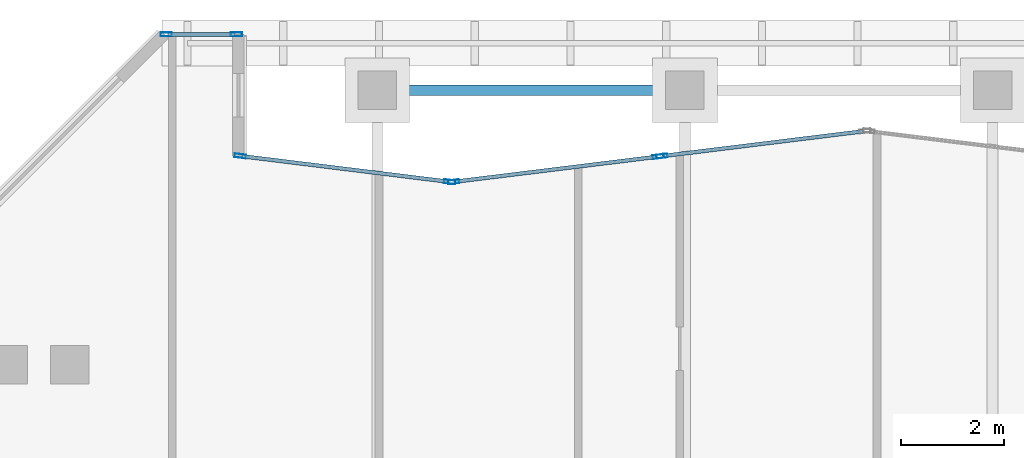
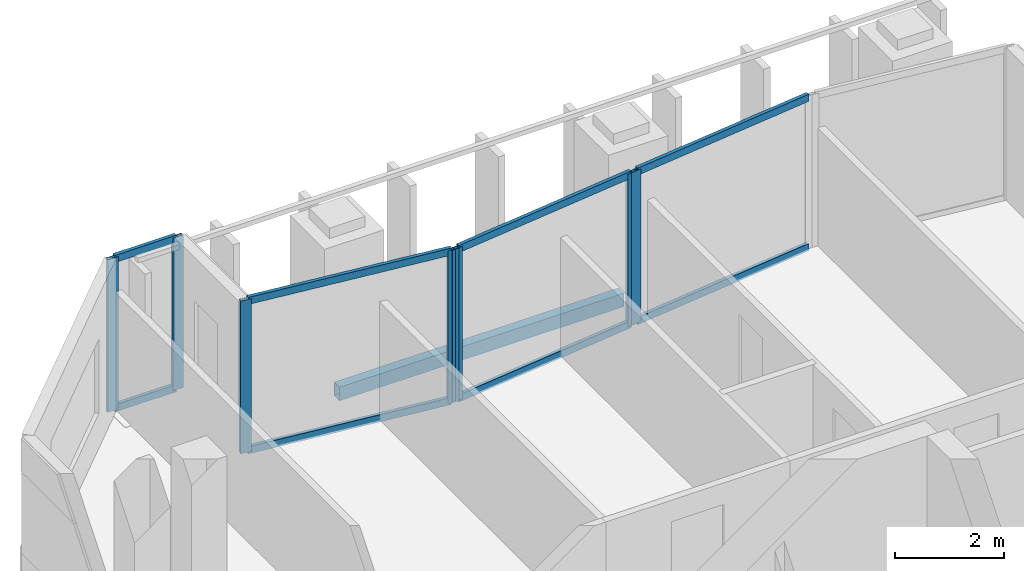
# One storey, part 11 of 32: 15 members, 1 beam, 4 elements without a shape of their own.
"""IFC4 building model written with IfcOpenShell, lengths in metres."""

from ifc_helpers import new_model, si_unit, direction, frame, origin, origin_2d, place, context, subcontext, project, spatial, hollow_rectangle, extrude, material, layer, layer_set, material_profile, profile_set, type_object, element, aggregate, save


model = new_model("IFC4")

# Units and contexts
model_context = context("Model", 3, precision=1e-05, world=origin(), true_north=direction((0.0, 1.0)))
body_context = subcontext(model_context, "Body", "Model", "MODEL_VIEW")
ifc_project = project(units=[si_unit("LENGTHUNIT", "METRE"), si_unit("AREAUNIT", "SQUARE_METRE"), si_unit("VOLUMEUNIT", "CUBIC_METRE"), si_unit("PLANEANGLEUNIT", "RADIAN"), si_unit("MASSUNIT", "GRAM", prefix="KILO")], contexts=[model_context])

# Site, building, storey
site_placement = place(None, origin())
site = spatial("IfcSite", under=ifc_project, at=site_placement, CompositionType="ELEMENT")
building_placement = place(site_placement, origin())
building = spatial("IfcBuilding", under=site, at=building_placement, Name="Tanjung Sevakor Pilgrim Tower", CompositionType="ELEMENT")
storey_placement = place(building_placement, frame((0.0, 0.0, 211.860107421875)))
storey = spatial("IfcBuildingStorey", under=building, at=storey_placement, Name="L59", CompositionType="ELEMENT", Elevation=211.860107421875)

# Beam
ifc_material_1 = material(Name="Steel S355J2", Category="steel")
ifc_material_profile_1 = material_profile(ifc_material_1, hollow_rectangle(XDim=0.199951171875, YDim=0.300048828125, WallThickness=0.012451171875, at=origin_2d()))
ifc_profile_set_1 = profile_set([ifc_material_profile_1], Name="Steel S355J2")
beam_type = type_object("IfcBeamType", Name="BM-B-SP3-RHS_300x200x12.5", PredefinedType="SPANDREL", material=ifc_profile_set_1)
beam_placement = place(storey_placement, frame((30.0, 53.949951171875, -0.3701171875), z_axis=(1.0, 0.0, 0.0), x_axis=(0.0, 1.0, 0.0)))
element("IfcBeam", 1, at=beam_placement, inside=storey, type_object=beam_type, Name="L59 Spandrel MAIN N-02", PredefinedType="SPANDREL", context=body_context, shape_type="SweptSolid", body=[
    extrude(hollow_rectangle(XDim=0.199951171875, YDim=0.300048828125, WallThickness=0.012451171875, at=origin_2d()), origin(), (0.0, 0.0, 1.0), 6.0),
])

# Curtain wall, member
ifc_material_2 = material(Name="Aluminium 6063-T6 and Low-E Glass", Category="aluminium")
ifc_layer = layer(ifc_material_2, 0.199951171875)
ifc_layer_set = layer_set([ifc_layer], Name="CW-SYS-PRAY")
curtain_wall_type = type_object("IfcCurtainWallType", Name="CW-SYS-PRAY", PredefinedType="NOTDEFINED", material=ifc_layer_set)
curtain_wall_1_placement = place(storey_placement, origin())
curtain_wall_1 = element("IfcCurtainWall", 2, at=curtain_wall_1_placement, inside=storey, type_object=curtain_wall_type, Name="L59 Curtain Wall CW-PRY-L59-28", PredefinedType="NOTDEFINED")
ifc_material_3 = material(Name="Aluminium 6063-T6", Category="aluminium")
ifc_material_profile_2 = material_profile(ifc_material_3, hollow_rectangle(XDim=0.074951171875, YDim=0.219970703125, WallThickness=0.0048828125, at=origin_2d()))
ifc_profile_set_2 = profile_set([ifc_material_profile_2], Name="Aluminium 6063-T6")
member_type_1 = type_object("IfcMemberType", Name="TYPE-CWM-2", PredefinedType="MULLION", material=ifc_profile_set_2)
member_1_placement = place(storey_placement, frame((35.55078125, 52.665283203125, 0.0), z_axis=(0.0, 0.0, 1.0), x_axis=(0.122542717395, -0.99246323983, 0.0)))
member_1 = element("IfcMember", 3, at=member_1_placement, type_object=member_type_1, Name="CW-PRY mullion 2", PredefinedType="MULLION", context=body_context, shape_type="SweptSolid", body=[
    extrude(hollow_rectangle(XDim=0.074951171875, YDim=0.219970703125, WallThickness=0.0048828125, at=origin_2d()), origin(), (0.0, 0.0, 1.0), 3.409912109375),
])

# Curtain wall, members
curtain_wall_2_placement = place(storey_placement, origin())
curtain_wall_2 = element("IfcCurtainWall", 4, at=curtain_wall_2_placement, inside=storey, type_object=curtain_wall_type, Name="L59 Curtain Wall CW-PRY-L59-29", PredefinedType="NOTDEFINED")
member_2_placement = place(storey_placement, frame((35.476318359375, 52.65625, 0.0), z_axis=(0.0, 0.0, 1.0), x_axis=(0.122510533794, -0.992467213116, 0.0)))
member_2 = element("IfcMember", 5, at=member_2_placement, type_object=member_type_1, Name="CW-PRY mullion 1", PredefinedType="MULLION", context=body_context, shape_type="SweptSolid", body=[
    extrude(hollow_rectangle(XDim=0.074951171875, YDim=0.219970703125, WallThickness=0.0048828125, at=origin_2d()), origin(), (0.0, 0.0, 1.0), 3.409912109375),
])
member_3_placement = place(storey_placement, frame((31.4873046875, 52.163818359375, 0.0), z_axis=(0.0, 0.0, 1.0), x_axis=(0.122510533794, -0.992467213116, 0.0)))
member_3 = element("IfcMember", 6, at=member_3_placement, type_object=member_type_1, Name="CW-PRY mullion 2", PredefinedType="MULLION", context=body_context, shape_type="SweptSolid", body=[
    extrude(hollow_rectangle(XDim=0.074951171875, YDim=0.219970703125, WallThickness=0.0048828125, at=origin_2d()), origin(), (0.0, 0.0, 1.0), 3.409912109375),
])

curtain_wall_3_placement = place(storey_placement, origin())
curtain_wall_3 = element("IfcCurtainWall", 7, at=curtain_wall_3_placement, inside=storey, type_object=curtain_wall_type, Name="L59 Curtain Wall CW-PRY-L59-30", PredefinedType="NOTDEFINED")
member_4_placement = place(storey_placement, frame((31.412841796875, 52.163818359375, 0.0), z_axis=(0.0, 0.0, 1.0), x_axis=(-0.12250771458, -0.992467561116, 0.0)))
member_4 = element("IfcMember", 8, at=member_4_placement, type_object=member_type_1, Name="CW-PRY mullion 1", PredefinedType="MULLION", context=body_context, shape_type="SweptSolid", body=[
    extrude(hollow_rectangle(XDim=0.074951171875, YDim=0.219970703125, WallThickness=0.0048828125, at=origin_2d()), origin(), (0.0, 0.0, 1.0), 3.409912109375),
])
member_5_placement = place(storey_placement, frame((27.3271484375, 52.668212890625, 0.0), z_axis=(0.0, 0.0, 1.0), x_axis=(-0.12250771458, -0.992467561116, 0.0)))
member_5 = element("IfcMember", 9, at=member_5_placement, type_object=member_type_1, Name="CW-PRY mullion 2", PredefinedType="MULLION", context=body_context, shape_type="SweptSolid", body=[
    extrude(hollow_rectangle(XDim=0.074951171875, YDim=0.219970703125, WallThickness=0.0048828125, at=origin_2d()), origin(), (0.0, 0.0, 1.0), 3.409912109375),
])

curtain_wall_4_placement = place(storey_placement, origin())
curtain_wall_4 = element("IfcCurtainWall", 10, at=curtain_wall_4_placement, inside=storey, type_object=curtain_wall_type, Name="L59 Curtain Wall CW-PRY-L59-32", PredefinedType="NOTDEFINED")
member_6_placement = place(storey_placement, frame((27.25244140625, 55.0400390625, 0.0), z_axis=(0.0, 0.0, 1.0), x_axis=(0.0, -1.0, 0.0)))
member_6 = element("IfcMember", 11, at=member_6_placement, type_object=member_type_1, Name="CW-PRY mullion 1", PredefinedType="MULLION", context=body_context, shape_type="SweptSolid", body=[
    extrude(hollow_rectangle(XDim=0.074951171875, YDim=0.219970703125, WallThickness=0.0048828125, at=origin_2d()), origin(), (0.0, 0.0, 1.0), 3.409912109375),
])
member_7_placement = place(storey_placement, frame((25.883056640625, 55.0400390625, 0.0), z_axis=(0.0, 0.0, 1.0), x_axis=(0.0, -1.0, 0.0)))
member_7 = element("IfcMember", 12, at=member_7_placement, type_object=member_type_1, Name="CW-PRY mullion 2", PredefinedType="MULLION", context=body_context, shape_type="SweptSolid", body=[
    extrude(hollow_rectangle(XDim=0.074951171875, YDim=0.219970703125, WallThickness=0.0048828125, at=origin_2d()), origin(), (0.0, 0.0, 1.0), 3.409912109375),
])

# Member
ifc_material_4 = material(Name="Aluminium 6063-T6", Category="aluminium")
ifc_material_profile_3 = material_profile(ifc_material_4, hollow_rectangle(XDim=0.074951171875, YDim=0.159912109375, WallThickness=0.00439453125, at=origin_2d()))
ifc_profile_set_3 = profile_set([ifc_material_profile_3], Name="Aluminium 6063-T6")
member_type_2 = type_object("IfcMemberType", Name="TYPE-CWT-2", PredefinedType="USERDEFINED", material=ifc_profile_set_3)
member_8_placement = place(storey_placement, frame((39.4755859375, 53.14990234375, 0.037353515625), z_axis=(-0.992464671808, -0.122531119365, 0.0), x_axis=(0.122531119365, -0.992464671808, 0.0)))
member_8 = element("IfcMember", 13, at=member_8_placement, type_object=member_type_2, Name="CW-PRY transom 1.1", ObjectType="TRANSOM", PredefinedType="USERDEFINED", context=body_context, shape_type="SweptSolid", body=[
    extrude(hollow_rectangle(XDim=0.074951171875, YDim=0.159912109375, WallThickness=0.00439453125, at=origin_2d()), origin(), (0.0, 0.0, 1.0), 3.917236328125),
])

member_9_placement = place(storey_placement, frame((39.4755859375, 53.14990234375, 3.372314453125), z_axis=(-0.992464671808, -0.122531119365, 0.0), x_axis=(0.122531119365, -0.992464671808, 0.0)))
member_9 = element("IfcMember", 14, at=member_9_placement, type_object=member_type_2, Name="CW-PRY transom 1.2", ObjectType="TRANSOM", PredefinedType="USERDEFINED", context=body_context, shape_type="SweptSolid", body=[
    extrude(hollow_rectangle(XDim=0.074951171875, YDim=0.159912109375, WallThickness=0.00439453125, at=origin_2d()), origin(), (0.0, 0.0, 1.0), 3.917236328125),
])

aggregate(curtain_wall_1, [member_1, member_8, member_9])

member_10_placement = place(storey_placement, frame((35.43896484375, 52.651611328125, 0.037353515625), z_axis=(-0.992469042694, -0.122495711332, 0.0), x_axis=(0.122495711332, -0.992469042694, 0.0)))
member_10 = element("IfcMember", 15, at=member_10_placement, type_object=member_type_2, Name="CW-PRY transom 1.1", ObjectType="TRANSOM", PredefinedType="USERDEFINED", context=body_context, shape_type="SweptSolid", body=[
    extrude(hollow_rectangle(XDim=0.074951171875, YDim=0.159912109375, WallThickness=0.00439453125, at=origin_2d()), origin(), (0.0, 0.0, 1.0), 3.9443359375),
])

member_11_placement = place(storey_placement, frame((35.43896484375, 52.651611328125, 3.372314453125), z_axis=(-0.992469042694, -0.122495711332, 0.0), x_axis=(0.122495711332, -0.992469042694, 0.0)))
member_11 = element("IfcMember", 16, at=member_11_placement, type_object=member_type_2, Name="CW-PRY transom 1.2", ObjectType="TRANSOM", PredefinedType="USERDEFINED", context=body_context, shape_type="SweptSolid", body=[
    extrude(hollow_rectangle(XDim=0.074951171875, YDim=0.159912109375, WallThickness=0.00439453125, at=origin_2d()), origin(), (0.0, 0.0, 1.0), 3.9443359375),
])

aggregate(curtain_wall_2, [member_2, member_3, member_10, member_11])

member_12_placement = place(storey_placement, frame((31.37548828125, 52.16845703125, 0.037353515625), z_axis=(-0.992467228298, 0.122510410797, 0.0), x_axis=(-0.122510410797, -0.992467228298, 0.0)))
member_12 = element("IfcMember", 17, at=member_12_placement, type_object=member_type_2, Name="CW-PRY transom 1.1", ObjectType="TRANSOM", PredefinedType="USERDEFINED", context=body_context, shape_type="SweptSolid", body=[
    extrude(hollow_rectangle(XDim=0.074951171875, YDim=0.159912109375, WallThickness=0.00439453125, at=origin_2d()), origin(), (0.0, 0.0, 1.0), 4.04150390625),
])

member_13_placement = place(storey_placement, frame((31.37548828125, 52.16845703125, 3.372314453125), z_axis=(-0.992467228298, 0.122510410797, 0.0), x_axis=(-0.122510410797, -0.992467228298, 0.0)))
member_13 = element("IfcMember", 18, at=member_13_placement, type_object=member_type_2, Name="CW-PRY transom 1.2", ObjectType="TRANSOM", PredefinedType="USERDEFINED", context=body_context, shape_type="SweptSolid", body=[
    extrude(hollow_rectangle(XDim=0.074951171875, YDim=0.159912109375, WallThickness=0.00439453125, at=origin_2d()), origin(), (0.0, 0.0, 1.0), 4.04150390625),
])

aggregate(curtain_wall_3, [member_4, member_5, member_12, member_13])

member_14_placement = place(storey_placement, frame((27.215087890625, 55.0400390625, 0.037353515625), z_axis=(-1.0, 0.0, 0.0), x_axis=(0.0, -1.0, 0.0)))
member_14 = element("IfcMember", 19, at=member_14_placement, type_object=member_type_2, Name="CW-PRY transom 1.1", ObjectType="TRANSOM", PredefinedType="USERDEFINED", context=body_context, shape_type="SweptSolid", body=[
    extrude(hollow_rectangle(XDim=0.074951171875, YDim=0.159912109375, WallThickness=0.00439453125, at=origin_2d()), origin(), (0.0, 0.0, 1.0), 1.29443359375),
])

member_15_placement = place(storey_placement, frame((27.215087890625, 55.0400390625, 3.372314453125), z_axis=(-1.0, 0.0, 0.0), x_axis=(0.0, -1.0, 0.0)))
member_15 = element("IfcMember", 20, at=member_15_placement, type_object=member_type_2, Name="CW-PRY transom 1.2", ObjectType="TRANSOM", PredefinedType="USERDEFINED", context=body_context, shape_type="SweptSolid", body=[
    extrude(hollow_rectangle(XDim=0.074951171875, YDim=0.159912109375, WallThickness=0.00439453125, at=origin_2d()), origin(), (0.0, 0.0, 1.0), 1.29443359375),
])

aggregate(curtain_wall_4, [member_6, member_7, member_14, member_15])

save(model, "model.ifc")
